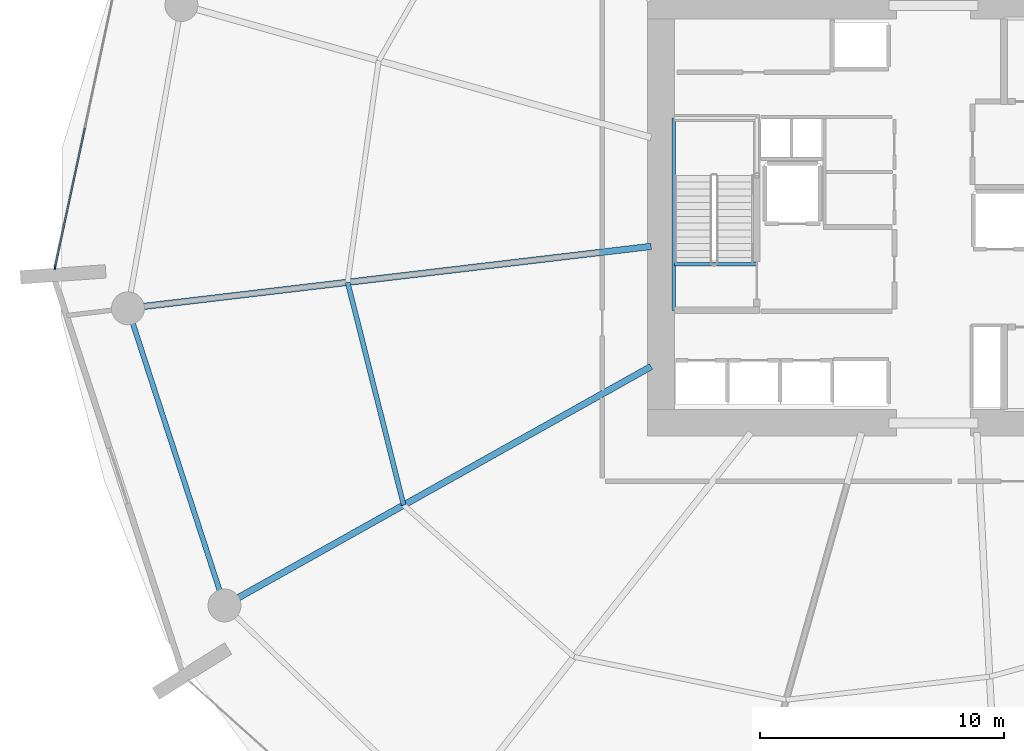
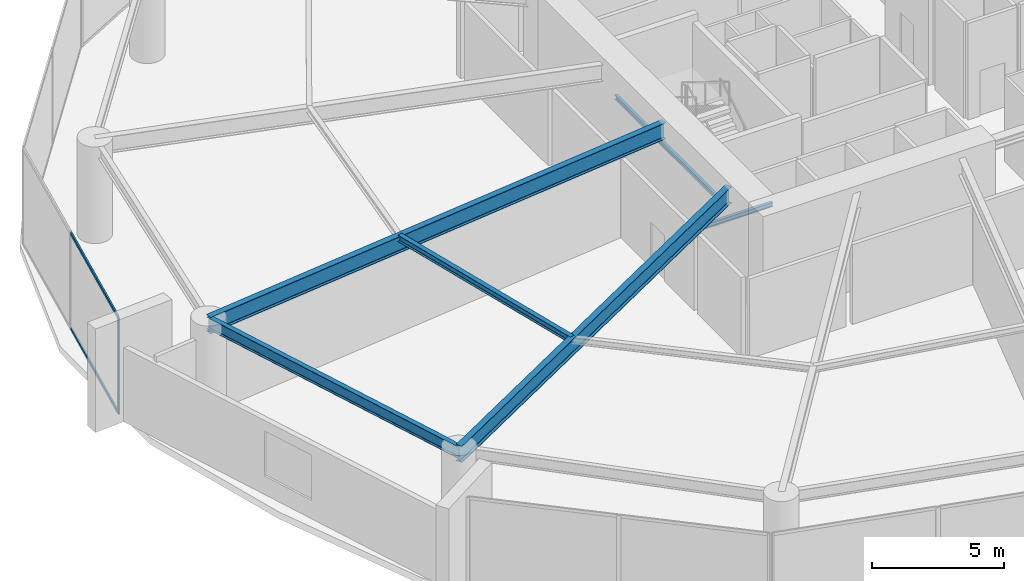
# One storey, part 8 of 22: 6 beams, 3 members, 1 element without a shape of its own.
"""IFC4 building model written with IfcOpenShell, lengths in metres."""

from ifc_helpers import new_model, si_unit, direction, frame, origin, origin_2d, place, context, subcontext, project, spatial, rectangle, i_section, extrude, material, layer, layer_set, material_profile, profile_set, type_object, element, aggregate, save


model = new_model("IFC4")

# Units and contexts
model_context = context("Model", 3, precision=1e-05, world=origin(), true_north=direction((0.0, 1.0)))
body_context = subcontext(model_context, "Body", "Model", "MODEL_VIEW")
ifc_project = project(units=[si_unit("LENGTHUNIT", "METRE"), si_unit("AREAUNIT", "SQUARE_METRE"), si_unit("VOLUMEUNIT", "CUBIC_METRE"), si_unit("PLANEANGLEUNIT", "RADIAN"), si_unit("MASSUNIT", "GRAM", prefix="KILO")], contexts=[model_context])

# Site, building, storey
site_placement = place(None, origin())
site = spatial("IfcSite", under=ifc_project, at=site_placement, CompositionType="ELEMENT")
building_placement = place(site_placement, origin())
building = spatial("IfcBuilding", under=site, at=building_placement, Name="Kazma Halo Residences", CompositionType="ELEMENT")
storey_placement = place(building_placement, frame((0.0, 0.0, 12.0)))
storey = spatial("IfcBuildingStorey", under=building, at=storey_placement, Name="L02", CompositionType="ELEMENT", Elevation=12.0)

# Beams
ifc_material_1 = material(Name="Steel S355", Category="steel")
ifc_material_profile_1 = material_profile(ifc_material_1, i_section(OverallWidth=0.26708984375, OverallDepth=0.761962890625, WebThickness=0.014404296875, FlangeThickness=0.021484375, FilletRadius=0.02001953125, at=origin_2d()), Name="W760x173")
ifc_profile_set_1 = profile_set([ifc_material_profile_1], Name="Steel S355")
beam_type_1 = type_object("IfcBeamType", Name="BM-POD-W760", PredefinedType="BEAM", material=ifc_profile_set_1)
beam_1_placement = place(storey_placement, frame((36.85009765625, 40.680419921875, 4.09912109375), z_axis=(-0.993068228459, -0.117539327996, 0.0), x_axis=(0.117539327996, -0.993068228459, 0.0)))
element("IfcBeam", 1, at=beam_1_placement, inside=storey, type_object=beam_type_1, Name="L02 radial floor beam 08", PredefinedType="BEAM", context=body_context, shape_type="SweptSolid", body=[
    extrude(i_section(OverallWidth=0.26708984375, OverallDepth=0.761962890625, WebThickness=0.014404296875, FlangeThickness=0.021484375, FilletRadius=0.02001953125, at=origin_2d()), origin(), (0.0, 0.0, 1.0), 21.58935546875),
])
beam_2_placement = place(storey_placement, frame((36.85009765625, 35.755615234375, 4.09912109375), z_axis=(-0.872498744017, -0.488616354299, 0.0), x_axis=(0.488616354299, -0.872498744017, 0.0)))
element("IfcBeam", 2, at=beam_2_placement, inside=storey, type_object=beam_type_1, Name="L02 radial floor beam 09", PredefinedType="BEAM", context=body_context, shape_type="SweptSolid", body=[
    extrude(i_section(OverallWidth=0.26708984375, OverallDepth=0.761962890625, WebThickness=0.014404296875, FlangeThickness=0.021484375, FilletRadius=0.02001953125, at=origin_2d()), origin(), (0.0, 0.0, 1.0), 20.037841796875),
])
ifc_material_profile_2 = material_profile(ifc_material_1, i_section(OverallWidth=0.202880859375, OverallDepth=0.302978515625, WebThickness=0.007568359375, FlangeThickness=0.01318359375, FilletRadius=0.013916015625, at=origin_2d()), Name="W310x60")
ifc_profile_set_2 = profile_set([ifc_material_profile_2], Name="Steel S355")
beam_type_2 = type_object("IfcBeamType", Name="BM-SEC-W310A", PredefinedType="JOIST", material=ifc_profile_set_2)
beam_3_placement = place(storey_placement, frame((24.4150390625, 39.20849609375, 4.32861328125), z_axis=(0.243737347729, -0.969841278417, 0.0), x_axis=(0.969841278417, 0.243737347729, 0.0)))
element("IfcBeam", 3, at=beam_3_placement, inside=storey, type_object=beam_type_2, Name="L02 circumferential floor joist 08", PredefinedType="JOIST", context=body_context, shape_type="SweptSolid", body=[
    extrude(i_section(OverallWidth=0.202880859375, OverallDepth=0.302978515625, WebThickness=0.007568359375, FlangeThickness=0.01318359375, FilletRadius=0.013916015625, at=origin_2d()), origin(), (0.0, 0.0, 1.0), 9.41552734375),
])
ifc_material_profile_3 = material_profile(ifc_material_1, i_section(OverallWidth=0.208984375, OverallDepth=0.532958984375, WebThickness=0.01025390625, FlangeThickness=0.015625, FilletRadius=0.01611328125, at=origin_2d()), Name="W530x92")
ifc_profile_set_3 = profile_set([ifc_material_profile_3], Name="Steel S355")
beam_type_3 = type_object("IfcBeamType", Name="BM-SPN-W530", PredefinedType="BEAM", material=ifc_profile_set_3)
beam_4_placement = place(storey_placement, frame((15.410400390625, 38.142822265625, 4.21337890625), z_axis=(0.3090114866, -0.951058305862, 0.0), x_axis=(0.951058305862, 0.3090114866, 0.0)))
element("IfcBeam", 4, at=beam_4_placement, inside=storey, type_object=beam_type_3, Name="L02 perimeter ring beam 08", PredefinedType="BEAM", context=body_context, shape_type="SweptSolid", body=[
    extrude(i_section(OverallWidth=0.208984375, OverallDepth=0.532958984375, WebThickness=0.01025390625, FlangeThickness=0.015625, FilletRadius=0.01611328125, at=origin_2d()), origin(), (0.0, 0.0, 1.0), 12.8046875),
])
ifc_material_profile_4 = material_profile(ifc_material_1, i_section(OverallWidth=0.133056640625, OverallDepth=0.20703125, WebThickness=0.005859375, FlangeThickness=0.00830078125, FilletRadius=0.010009765625, at=origin_2d()), Name="W200x26.6")
ifc_profile_set_4 = profile_set([ifc_material_profile_4], Name="Steel S355")
beam_type_4 = type_object("IfcBeamType", Name="BM-TRIM-W200", PredefinedType="BEAM", material=ifc_profile_set_4)
beam_5_placement = place(storey_placement, frame((37.800048828125, 39.949951171875, -0.429931640625), z_axis=(1.0, 0.0, 0.0), x_axis=(0.0, 1.0, 0.0)))
element("IfcBeam", 5, at=beam_5_placement, inside=storey, type_object=beam_type_4, Name="L02 ST-01 floor landing support beam", PredefinedType="BEAM", context=body_context, shape_type="SweptSolid", body=[
    extrude(i_section(OverallWidth=0.133056640625, OverallDepth=0.20703125, WebThickness=0.005859375, FlangeThickness=0.00830078125, FilletRadius=0.010009765625, at=origin_2d()), origin(), (0.0, 0.0, 1.0), 3.3798828125),
])
beam_6_placement = place(storey_placement, frame((37.780029296875, 38.06005859375, 2.094970703125), z_axis=(0.0, 1.0, 0.0), x_axis=(-1.0, 0.0, 0.0)))
element("IfcBeam", 6, at=beam_6_placement, inside=storey, type_object=beam_type_4, Name="L02 ST-01 landing west wall ledger", PredefinedType="BEAM", context=body_context, shape_type="SweptSolid", body=[
    extrude(i_section(OverallWidth=0.133056640625, OverallDepth=0.20703125, WebThickness=0.005859375, FlangeThickness=0.00830078125, FilletRadius=0.010009765625, at=origin_2d()), origin(), (0.0, 0.0, 1.0), 7.8798828125),
])

# Curtain wall, members
ifc_material_2 = material(Name="Aluminium AW-6063 T6 and Triple-Silver Low-E Glass", Category="aluminium")
ifc_layer = layer(ifc_material_2, 0.179931640625)
ifc_layer_set = layer_set([ifc_layer], Name="Aluminium AW-6063 T6 and Triple-Silver Low-E Glass")
curtain_wall_type = type_object("IfcCurtainWallType", Name="CW-SYS-1", PredefinedType="NOTDEFINED", material=ifc_layer_set)
curtain_wall_placement = place(storey_placement, origin())
curtain_wall = element("IfcCurtainWall", 7, at=curtain_wall_placement, inside=storey, type_object=curtain_wall_type, Name="L02 unitised curtain wall B07", PredefinedType="NOTDEFINED")
ifc_material_3 = material(Name="Aluminium AW-6063 T6", Category="aluminium")
ifc_material_profile_5 = material_profile(ifc_material_3, rectangle(XDim=0.06494140625, YDim=0.179931640625, at=origin_2d()), Name="CWM-65x180")
ifc_profile_set_5 = profile_set([ifc_material_profile_5], Name="Aluminium AW-6063 T6")
member_type_1 = type_object("IfcMemberType", Name="CW-SYS-1-MUL", PredefinedType="MULLION", material=ifc_profile_set_5)
member_1_placement = place(storey_placement, frame((12.426025390625, 39.824462890625, 0.0), z_axis=(0.0, 0.0, 1.0), x_axis=(0.977788157631, -0.209595607771, 0.0)))
member_1 = element("IfcMember", 8, at=member_1_placement, type_object=member_type_1, Name="CWS-1 mullion 3", PredefinedType="MULLION", context=body_context, shape_type="SweptSolid", body=[
    extrude(rectangle(XDim=0.06494140625, YDim=0.179931640625, at=origin_2d()), origin(), (0.0, 0.0, 1.0), 4.47998046875),
])
ifc_material_profile_6 = material_profile(ifc_material_3, rectangle(XDim=0.06494140625, YDim=0.135009765625, at=origin_2d()), Name="CWT-65x135")
ifc_profile_set_6 = profile_set([ifc_material_profile_6], Name="Aluminium AW-6063 T6")
member_type_2 = type_object("IfcMemberType", Name="CW-SYS-1-TRN", PredefinedType="USERDEFINED", material=ifc_profile_set_6)
member_2_placement = place(storey_placement, frame((13.649658203125, 45.532958984375, 0.032470703125), z_axis=(-0.209586525071, -0.977790104526, 0.0), x_axis=(0.977790104526, -0.209586525071, 0.0)))
member_2 = element("IfcMember", 9, at=member_2_placement, type_object=member_type_2, Name="CWS-1 transom 2.1", ObjectType="TRANSOM", PredefinedType="USERDEFINED", context=body_context, shape_type="SweptSolid", body=[
    extrude(rectangle(XDim=0.06494140625, YDim=0.135009765625, at=origin_2d()), origin(), (0.0, 0.0, 1.0), 5.8056640625),
])
member_3_placement = place(storey_placement, frame((13.649658203125, 45.532958984375, 4.447509765625), z_axis=(-0.209586525071, -0.977790104526, 0.0), x_axis=(0.977790104526, -0.209586525071, 0.0)))
member_3 = element("IfcMember", 10, at=member_3_placement, type_object=member_type_2, Name="CWS-1 transom 2.2", ObjectType="TRANSOM", PredefinedType="USERDEFINED", context=body_context, shape_type="SweptSolid", body=[
    extrude(rectangle(XDim=0.06494140625, YDim=0.135009765625, at=origin_2d()), origin(), (0.0, 0.0, 1.0), 5.8056640625),
])
aggregate(curtain_wall, [member_1, member_2, member_3])

save(model, "model.ifc")
